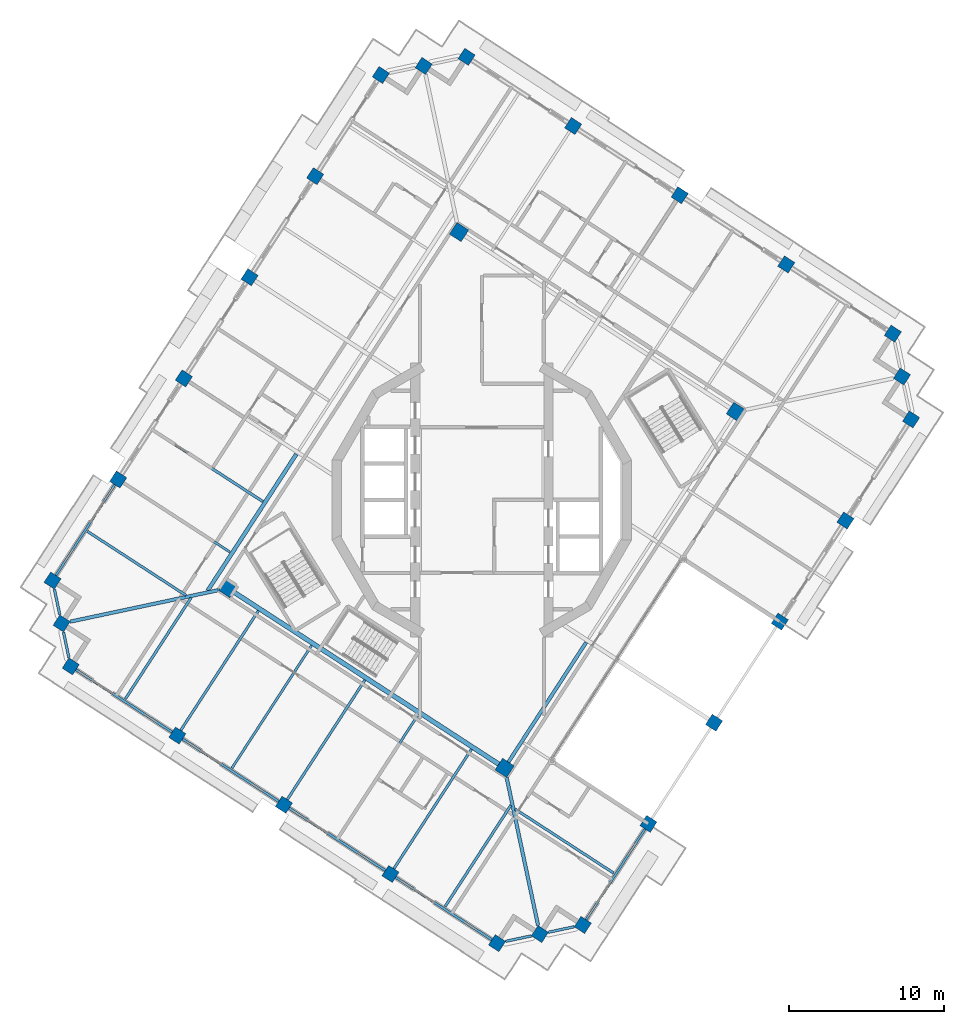
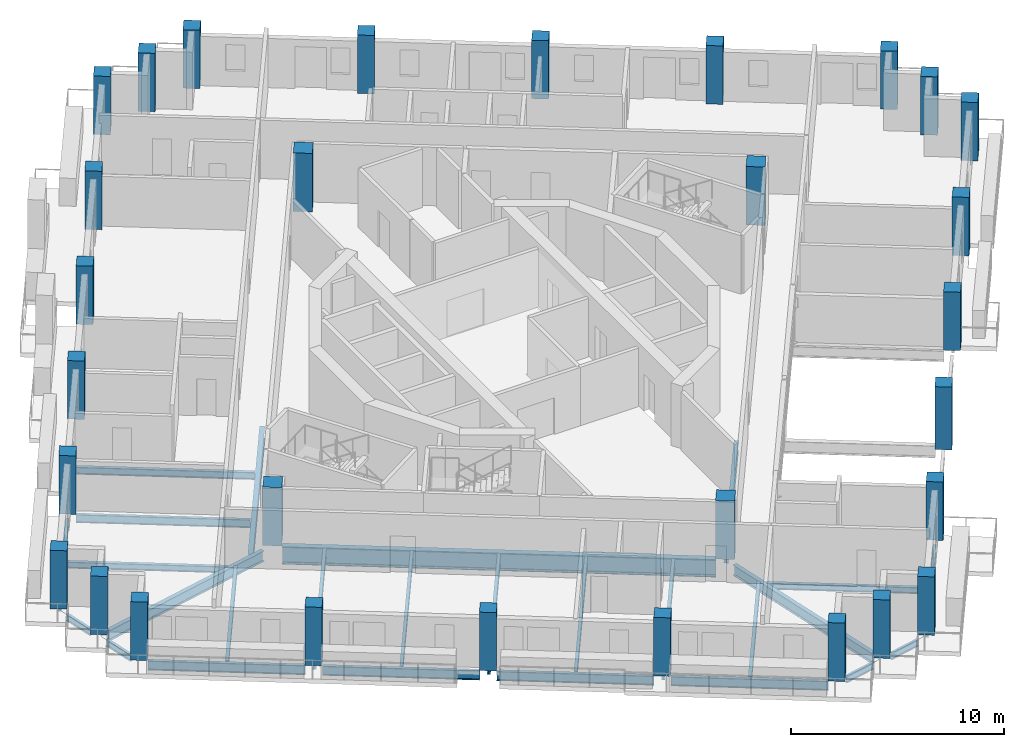
# One storey, part 1 of 17: 30 columns, 26 beams.
"""IFC4 building model written with IfcOpenShell, lengths in metres."""

from ifc_helpers import new_model, si_unit, direction, frame, origin, origin_2d, place, context, subcontext, project, spatial, rectangle, i_section, extrude, material, material_profile, profile_set, type_object, element, save


model = new_model("IFC4")

# Units and contexts
model_context = context("Model", 3, precision=1e-05, world=origin(), true_north=direction((0.0, 1.0)))
body_context = subcontext(model_context, "Body", "Model", "MODEL_VIEW")
ifc_project = project(units=[si_unit("LENGTHUNIT", "METRE"), si_unit("AREAUNIT", "SQUARE_METRE"), si_unit("VOLUMEUNIT", "CUBIC_METRE"), si_unit("PLANEANGLEUNIT", "RADIAN"), si_unit("MASSUNIT", "GRAM", prefix="KILO")], contexts=[model_context])

# Site, building, storey
site_placement = place(None, origin())
site = spatial("IfcSite", under=ifc_project, at=site_placement, CompositionType="ELEMENT")
building_placement = place(site_placement, origin())
building = spatial("IfcBuilding", under=site, at=building_placement, Name="Cantera Rosa Tower", CompositionType="ELEMENT")
storey_placement = place(building_placement, frame((0.0, 0.0, 254.10009765625)))
storey = spatial("IfcBuildingStorey", under=building, at=storey_placement, Name="L56", CompositionType="ELEMENT", Elevation=254.10009765625)

# Columns
ifc_material_1 = material(Name="Concrete C50/60", Category="concrete")
ifc_material_profile_1 = material_profile(ifc_material_1, rectangle(XDim=0.800048828125, YDim=0.800048828125, at=origin_2d()), Name="RC COLUMN RC800X800 C50/60")
ifc_profile_set_1 = profile_set([ifc_material_profile_1], Name="Concrete C50/60")
column_type_1 = type_object("IfcColumnType", Name="RC COLUMN RC800X800 C50/60", PredefinedType="COLUMN", material=ifc_profile_set_1)
for number, where, z_axis, x_axis, name in (
    (1, (26.52587890625, 10.73486328125, 0.0), (0.0, 0.0, 1.0), (0.544639035015, 0.838670567945, 0.0), "C-Z5-01 L56"),
    (2, (19.64892578125, 15.20068359375, 0.0), (0.0, 0.0, 1.0), (0.544639035015, 0.838670567945, 0.0), "C-Z5-02 L56"),
    (3, (12.771728515625, 19.666748046875, 0.0), (0.0, 0.0, 1.0), (0.544639035015, 0.838670567945, 0.0), "C-Z5-03 L56"),
    (4, (5.894775390625, 24.1328125, 0.0), (0.0, 0.0, 1.0), (0.544639035015, 0.838670567945, 0.0), "C-Z5-04 L56"),
    (5, (-0.982421875, 28.598876953125, 0.0), (0.0, 0.0, 1.0), (0.544639035015, 0.838670567945, 0.0), "C-Z5-05 L56"),
    (6, (-3.7490234375, 28.0107421875, 0.0), (0.0, 0.0, 1.0), (0.544639035015, 0.838670567945, 0.0), "C-Z5-06 L56"),
    (7, (-6.515625, 27.4228515625, 0.0), (0.0, 0.0, 1.0), (0.544639035015, 0.838670567945, 0.0), "C-Z5-07 L56"),
    (8, (-10.7529296875, 20.89794921875, 0.0), (0.0, 0.0, 1.0), (0.544639035015, 0.838670567945, 0.0), "C-Z5-08 L56"),
    (9, (-14.990234375, 14.373046875, 0.0), (0.0, 0.0, 1.0), (0.544639035015, 0.838670567945, 0.0), "C-Z5-09 L56"),
    (10, (-19.2275390625, 7.84814453125, 0.0), (0.0, 0.0, 1.0), (0.544639035015, 0.838670567945, 0.0), "C-Z5-10 L56"),
    (11, (-23.46484375, 1.3232421875, 0.0), (0.0, 0.0, 1.0), (0.544639035015, 0.838670567945, 0.0), "C-Z5-11 L56"),
    (12, (-27.7021484375, -5.201416015625, 0.0), (0.0, 0.0, 1.0), (0.544639035015, 0.838670567945, 0.0), "C-Z5-12 L56"),
    (13, (-27.114013671875, -7.968017578125, 0.0), (0.0, 0.0, 1.0), (0.544639035015, 0.838670567945, 0.0), "C-Z5-13 L56"),
    (14, (-26.52587890625, -10.73486328125, 0.0), (0.0, 0.0, 1.0), (0.544639035015, 0.838670567945, 0.0), "C-Z5-14 L56"),
    (15, (-19.64892578125, -15.20068359375, 0.0), (0.0, 0.0, 1.0), (0.544639035015, 0.838670567945, 0.0), "C-Z5-15 L56"),
    (16, (-12.771728515625, -19.666748046875, 0.0), (0.0, 0.0, 1.0), (0.544639035015, 0.838670567945, 0.0), "C-Z5-16 L56"),
    (17, (-5.894775390625, -24.1328125, 0.0), (0.0, 0.0, 1.0), (0.544639035015, 0.838670567945, 0.0), "C-Z5-17 L56"),
    (18, (0.982421875, -28.598876953125, 0.0), (0.0, 0.0, 1.0), (0.544639035015, 0.838670567945, 0.0), "C-Z5-18 L56"),
    (19, (3.7490234375, -28.0107421875, 0.0), (0.0, 0.0, 1.0), (0.544639035015, 0.838670567945, 0.0), "C-Z5-19 L56"),
    (20, (6.515625, -27.4228515625, 0.0), (0.0, 0.0, 1.0), (0.544639035015, 0.838670567945, 0.0), "C-Z5-20 L56"),
    (21, (10.7529296875, -20.89794921875, 0.0), (0.0, 0.0, 1.0), (0.544639035015, 0.838670567945, 0.0), "C-Z5-21 L56"),
):
    element("IfcColumn", number, at=place(storey_placement, frame(where, z_axis=z_axis, x_axis=x_axis)), inside=storey, type_object=column_type_1, Name=name, PredefinedType="COLUMN", context=body_context, shape_type="SweptSolid", body=[
        extrude(rectangle(XDim=0.800048828125, YDim=0.800048828125, at=origin_2d()), origin(), (0.0, 0.0, 1.0), 3.349853515625),
    ])
column_placement = place(storey_placement, frame((14.990234375, -14.373046875, -0.25), z_axis=(0.0, 0.0, 1.0), x_axis=(0.544639035015, 0.838670567945, 0.0)))
element("IfcColumn", 22, at=column_placement, inside=storey, type_object=column_type_1, Name="C-Z5-22 L56", PredefinedType="COLUMN", context=body_context, shape_type="SweptSolid", body=[
    extrude(rectangle(XDim=0.800048828125, YDim=0.800048828125, at=origin_2d()), origin(), (0.0, 0.0, 1.0), 3.599853515625),
])
for number, where, z_axis, x_axis, name in (
    (23, (19.2275390625, -7.84814453125, 0.0), (0.0, 0.0, 1.0), (0.544639035015, 0.838670567945, 0.0), "C-Z5-23 L56"),
    (24, (23.46484375, -1.3232421875, 0.0), (0.0, 0.0, 1.0), (0.544639035015, 0.838670567945, 0.0), "C-Z5-24 L56"),
    (25, (27.7021484375, 5.201416015625, 0.0), (0.0, 0.0, 1.0), (0.544639035015, 0.838670567945, 0.0), "C-Z5-25 L56"),
    (26, (27.114013671875, 7.968017578125, 0.0), (0.0, 0.0, 1.0), (0.544639035015, 0.838670567945, 0.0), "C-Z5-26 L56"),
):
    element("IfcColumn", number, at=place(storey_placement, frame(where, z_axis=z_axis, x_axis=x_axis)), inside=storey, type_object=column_type_1, Name=name, PredefinedType="COLUMN", context=body_context, shape_type="SweptSolid", body=[
        extrude(rectangle(XDim=0.800048828125, YDim=0.800048828125, at=origin_2d()), origin(), (0.0, 0.0, 1.0), 3.349853515625),
    ])
ifc_material_2 = material(Name="Concrete C50/60", Category="concrete")
ifc_material_profile_2 = material_profile(ifc_material_2, rectangle(XDim=0.89990234375, YDim=0.89990234375, at=origin_2d()), Name="RC RING COLUMN RC900X900 C50/60")
ifc_profile_set_2 = profile_set([ifc_material_profile_2], Name="Concrete C50/60")
column_type_2 = type_object("IfcColumnType", Name="RC RING COLUMN RC900X900 C50/60", PredefinedType="COLUMN", material=ifc_profile_set_2)
for number, where, z_axis, x_axis, name in (
    (27, (-1.47021484375, 17.290283203125, 0.0), (0.0, 0.0, 1.0), (0.544639035015, 0.838670567945, 0.0), "CI-Z5-1 L56"),
    (28, (-16.393310546875, -5.689453125, 0.0), (0.0, 0.0, 1.0), (0.544639035015, 0.838670567945, 0.0), "CI-Z5-2 L56"),
    (29, (1.47021484375, -17.290283203125, 0.0), (0.0, 0.0, 1.0), (0.544639035015, 0.838670567945, 0.0), "CI-Z5-3 L56"),
    (30, (16.393310546875, 5.689453125, 0.0), (0.0, 0.0, 1.0), (0.544639035015, 0.838670567945, 0.0), "CI-Z5-4 L56"),
):
    element("IfcColumn", number, at=place(storey_placement, frame(where, z_axis=z_axis, x_axis=x_axis)), inside=storey, type_object=column_type_2, Name=name, PredefinedType="COLUMN", context=body_context, shape_type="SweptSolid", body=[
        extrude(rectangle(XDim=0.89990234375, YDim=0.89990234375, at=origin_2d()), origin(), (0.0, 0.0, 1.0), 3.349853515625),
    ])

# Beams
ifc_material_3 = material(Name="Steel ASTM A992 (Fy 345 MPa)", Category="steel")
ifc_material_profile_3 = material_profile(ifc_material_3, i_section(OverallWidth=0.302001953125, OverallDepth=1.010009765625, WebThickness=0.02099609375, FlangeThickness=0.0400390625, FilletRadius=0.030029296875, at=origin_2d()), Name="W1000X350")
ifc_profile_set_3 = profile_set([ifc_material_profile_3], Name="Steel ASTM A992 (Fy 345 MPa)")
beam_type_1 = type_object("IfcBeamType", Name="STEEL BEAM W1000X350", PredefinedType="BEAM", material=ifc_profile_set_3)
beam_1_placement = place(storey_placement, frame((1.0927734375, -17.045166015625, -0.755126953125), z_axis=(-0.838671580977, 0.54463747508, 0.0), x_axis=(-0.54463747508, -0.838671580977, 0.0)))
element("IfcBeam", 31, at=beam_1_placement, inside=storey, type_object=beam_type_1, Name="RB-Z5-09 L56", PredefinedType="BEAM", context=body_context, shape_type="SweptSolid", body=[
    extrude(i_section(OverallWidth=0.302001953125, OverallDepth=1.010009765625, WebThickness=0.02099609375, FlangeThickness=0.0400390625, FilletRadius=0.030029296875, at=origin_2d()), origin(), (0.0, 0.0, 1.0), 20.39990234375),
])
ifc_material_4 = material(Name="Steel ASTM A992 (Fy 345 MPa)", Category="steel")
ifc_material_profile_4 = material_profile(ifc_material_4, i_section(OverallWidth=0.154052734375, OverallDepth=0.4599609375, WebThickness=0.009033203125, FlangeThickness=0.015380859375, FilletRadius=0.01025390625, at=origin_2d()), Name="W460X68")
ifc_profile_set_4 = profile_set([ifc_material_profile_4], Name="Steel ASTM A992 (Fy 345 MPa)")
beam_type_2 = type_object("IfcBeamType", Name="STEEL BEAM W460X68", PredefinedType="BEAM", material=ifc_profile_set_4)
beam_2_placement = place(storey_placement, frame((-23.12939453125, 1.10546875, -0.47998046875), z_axis=(0.838672777751, -0.544635632198, 0.0), x_axis=(0.544635632198, 0.838672777751, 0.0)))
element("IfcBeam", 32, at=beam_2_placement, inside=storey, type_object=beam_type_2, Name="G-Z5-07 L56", PredefinedType="BEAM", context=body_context, shape_type="SweptSolid", body=[
    extrude(i_section(OverallWidth=0.154052734375, OverallDepth=0.4599609375, WebThickness=0.009033203125, FlangeThickness=0.015380859375, FilletRadius=0.01025390625, at=origin_2d()), origin(), (0.0, 0.0, 1.0), 8.2001953125),
])
ifc_material_5 = material(Name="Steel ASTM A992 (Fy 345 MPa)", Category="steel")
ifc_material_profile_5 = material_profile(ifc_material_5, i_section(OverallWidth=0.166015625, OverallDepth=0.528076171875, WebThickness=0.009765625, FlangeThickness=0.013671875, FilletRadius=0.0126953125, at=origin_2d()), Name="W530X74")
ifc_profile_set_5 = profile_set([ifc_material_profile_5], Name="Steel ASTM A992 (Fy 345 MPa)")
beam_type_3 = type_object("IfcBeamType", Name="STEEL BEAM W530X74", PredefinedType="BEAM", material=ifc_profile_set_5)
beam_3_placement = place(storey_placement, frame((-19.430908203125, -14.865234375, -0.51416015625), z_axis=(0.544634776066, 0.838673333724, 0.0), x_axis=(-0.838673333724, 0.544634776066, 0.0)))
element("IfcBeam", 33, at=beam_3_placement, inside=storey, type_object=beam_type_3, Name="G-Z5-12 L56", PredefinedType="BEAM", context=body_context, shape_type="SweptSolid", body=[
    extrude(i_section(OverallWidth=0.166015625, OverallDepth=0.528076171875, WebThickness=0.009765625, FlangeThickness=0.013671875, FilletRadius=0.0126953125, at=origin_2d()), origin(), (0.0, 0.0, 1.0), 9.19970703125),
])
beam_4_placement = place(storey_placement, frame((-12.553955078125, -19.331298828125, -0.51416015625), z_axis=(0.544641320086, 0.838669083999, 0.0), x_axis=(-0.838669083999, 0.544641320086, 0.0)))
element("IfcBeam", 34, at=beam_4_placement, inside=storey, type_object=beam_type_3, Name="G-Z5-13 L56", PredefinedType="BEAM", context=body_context, shape_type="SweptSolid", body=[
    extrude(i_section(OverallWidth=0.166015625, OverallDepth=0.528076171875, WebThickness=0.009765625, FlangeThickness=0.013671875, FilletRadius=0.0126953125, at=origin_2d()), origin(), (0.0, 0.0, 1.0), 9.2001953125),
])
beam_5_placement = place(storey_placement, frame((-5.6767578125, -23.79736328125, -0.51416015625), z_axis=(0.544622654601, 0.838681205283, 0.0), x_axis=(-0.838681205283, 0.544622654601, 0.0)))
element("IfcBeam", 35, at=beam_5_placement, inside=storey, type_object=beam_type_3, Name="G-Z5-14 L56", PredefinedType="BEAM", context=body_context, shape_type="SweptSolid", body=[
    extrude(i_section(OverallWidth=0.166015625, OverallDepth=0.528076171875, WebThickness=0.009765625, FlangeThickness=0.013671875, FilletRadius=0.0126953125, at=origin_2d()), origin(), (0.0, 0.0, 1.0), 9.199951171875),
])
ifc_material_6 = material(Name="Steel ASTM A992 (Fy 345 MPa)", Category="steel")
ifc_material_profile_6 = material_profile(ifc_material_6, i_section(OverallWidth=0.22802734375, OverallDepth=0.60205078125, WebThickness=0.010498046875, FlangeThickness=0.014892578125, FilletRadius=0.0126953125, at=origin_2d()), Name="W610X101")
ifc_profile_set_6 = profile_set([ifc_material_profile_6], Name="Steel ASTM A992 (Fy 345 MPa)")
beam_type_4 = type_object("IfcBeamType", Name="STEEL BEAM W610X101", PredefinedType="BEAM", material=ifc_profile_set_6)
for number, where, z_axis, x_axis, name in (
    (36, (-26.560791015625, -7.8505859375, -0.551025390625), (0.978148167214, 0.20790902572, 0.0), (-0.20790902572, 0.978148167214, 0.0), "CB-Z5-02 L56"),
    (37, (3.63134765625, -27.45751953125, -0.551025390625), (-0.20790902572, 0.978148167214, 0.0), (-0.978148167214, -0.20790902572, 0.0), "CB-Z5-03 L56"),
):
    element("IfcBeam", number, at=place(storey_placement, frame(where, z_axis=z_axis, x_axis=x_axis)), inside=storey, type_object=beam_type_4, Name=name, PredefinedType="BEAM", context=body_context, shape_type="SweptSolid", body=[
        extrude(i_section(OverallWidth=0.22802734375, OverallDepth=0.60205078125, WebThickness=0.010498046875, FlangeThickness=0.014892578125, FilletRadius=0.0126953125, at=origin_2d()), origin(), (0.0, 0.0, 1.0), 9.758056640625),
    ])
beam_6_placement = place(storey_placement, frame((1.71533203125, -16.912841796875, -0.551025390625), z_axis=(0.54463982867, 0.838670052539, 0.0), x_axis=(-0.838670052539, 0.54463982867, 0.0)))
element("IfcBeam", 38, at=beam_6_placement, inside=storey, type_object=beam_type_4, Name="RB-Z5-04 L56", PredefinedType="BEAM", context=body_context, shape_type="SweptSolid", body=[
    extrude(i_section(OverallWidth=0.22802734375, OverallDepth=0.60205078125, WebThickness=0.010498046875, FlangeThickness=0.014892578125, FilletRadius=0.0126953125, at=origin_2d()), origin(), (0.0, 0.0, 1.0), 9.2099609375),
])
ifc_material_7 = material(Name="Steel ASTM A992 (Fy 345 MPa)", Category="steel")
ifc_material_profile_7 = material_profile(ifc_material_7, i_section(OverallWidth=0.25390625, OverallDepth=0.677978515625, WebThickness=0.01171875, FlangeThickness=0.016357421875, FilletRadius=0.01513671875, at=origin_2d()), Name="W690X125")
ifc_profile_set_7 = profile_set([ifc_material_profile_7], Name="Steel ASTM A992 (Fy 345 MPa)")
beam_type_5 = type_object("IfcBeamType", Name="STEEL BEAM W690X125", PredefinedType="BEAM", material=ifc_profile_set_7)
beam_7_placement = place(storey_placement, frame((-17.695068359375, -5.857666015625, -0.589111328125), z_axis=(0.544635575355, 0.838672814665, 0.0), x_axis=(-0.838672814665, 0.544635575355, 0.0)))
element("IfcBeam", 39, at=beam_7_placement, inside=storey, type_object=beam_type_5, Name="RB-Z5-01 L56", PredefinedType="BEAM", context=body_context, shape_type="SweptSolid", body=[
    extrude(i_section(OverallWidth=0.25390625, OverallDepth=0.677978515625, WebThickness=0.01171875, FlangeThickness=0.016357421875, FilletRadius=0.01513671875, at=origin_2d()), origin(), (0.0, 0.0, 1.0), 10.510009765625),
])
ifc_material_8 = material(Name="Steel ASTM A992 (Fy 345 MPa)", Category="steel")
ifc_material_profile_8 = material_profile(ifc_material_8, i_section(OverallWidth=0.1708984375, OverallDepth=0.35595703125, WebThickness=0.00732421875, FlangeThickness=0.01171875, FilletRadius=0.010009765625, at=origin_2d()), Name="W360X51")
ifc_profile_set_8 = profile_set([ifc_material_profile_8], Name="Steel ASTM A992 (Fy 345 MPa)")
beam_type_6 = type_object("IfcBeamType", Name="STEEL JOIST W360X51", PredefinedType="JOIST", material=ifc_profile_set_8)
beam_8_placement = place(storey_placement, frame((-25.457763671875, -2.020751953125, -0.427978515625), z_axis=(0.838680170462, -0.54462424815, 0.0), x_axis=(0.54462424815, 0.838680170462, 0.0)))
element("IfcBeam", 40, at=beam_8_placement, inside=storey, type_object=beam_type_6, Name="B-Z5-09 L56", PredefinedType="JOIST", context=body_context, shape_type="SweptSolid", body=[
    extrude(i_section(OverallWidth=0.1708984375, OverallDepth=0.35595703125, WebThickness=0.00732421875, FlangeThickness=0.01171875, FilletRadius=0.010009765625, at=origin_2d()), origin(), (0.0, 0.0, 1.0), 7.590087890625),
])
beam_9_placement = place(storey_placement, frame((8.508544921875, -24.07861328125, -0.427978515625), z_axis=(-0.838670629323, 0.544638940502, 0.0), x_axis=(-0.544638940502, -0.838670629323, 0.0)))
element("IfcBeam", 41, at=beam_9_placement, inside=storey, type_object=beam_type_6, Name="B-Z5-10 L56", PredefinedType="JOIST", context=body_context, shape_type="SweptSolid", body=[
    extrude(i_section(OverallWidth=0.1708984375, OverallDepth=0.35595703125, WebThickness=0.00732421875, FlangeThickness=0.01171875, FilletRadius=0.010009765625, at=origin_2d()), origin(), (0.0, 0.0, 1.0), 7.58984375),
])
for number, where, z_axis, x_axis, name in (
    (42, (-23.005859375, -12.842041015625, -0.427978515625), (0.544641754757, 0.838668801718, 0.0), (-0.838668801718, 0.544641754757, 0.0), "B-Z5-15 L56"),
    (43, (-2.37451171875, -26.239990234375, -0.427978515625), (0.54465605183, 0.838659516851, 0.0), (-0.838659516851, 0.54465605183, 0.0), "B-Z5-18 L56"),
):
    element("IfcBeam", number, at=place(storey_placement, frame(where, z_axis=z_axis, x_axis=x_axis)), inside=storey, type_object=beam_type_6, Name=name, PredefinedType="JOIST", context=body_context, shape_type="SweptSolid", body=[
        extrude(i_section(OverallWidth=0.1708984375, OverallDepth=0.35595703125, WebThickness=0.00732421875, FlangeThickness=0.01171875, FilletRadius=0.010009765625, at=origin_2d()), origin(), (0.0, 0.0, 1.0), 7.800048828125),
    ])
ifc_material_9 = material(Name="Steel ASTM A992 (Fy 345 MPa)", Category="steel")
ifc_material_profile_9 = material_profile(ifc_material_9, i_section(OverallWidth=0.177978515625, OverallDepth=0.406005859375, WebThickness=0.0078125, FlangeThickness=0.0126953125, FilletRadius=0.01025390625, at=origin_2d()), Name="W410X60")
ifc_profile_set_9 = profile_set([ifc_material_profile_9], Name="Steel ASTM A992 (Fy 345 MPa)")
beam_type_7 = type_object("IfcBeamType", Name="STEEL JOIST W410X60", PredefinedType="JOIST", material=ifc_profile_set_9)
beam_10_placement = place(storey_placement, frame((-21.220458984375, 4.504150390625, -0.453125), z_axis=(0.838670615657, -0.544638961546, 0.0), x_axis=(0.544638961546, 0.838670615657, 0.0)))
element("IfcBeam", 44, at=beam_10_placement, inside=storey, type_object=beam_type_7, Name="B-Z5-08 L56", PredefinedType="JOIST", context=body_context, shape_type="SweptSolid", body=[
    extrude(i_section(OverallWidth=0.177978515625, OverallDepth=0.406005859375, WebThickness=0.0078125, FlangeThickness=0.0126953125, FilletRadius=0.01025390625, at=origin_2d()), origin(), (0.0, 0.0, 1.0), 8.4501953125),
])
ifc_material_10 = material(Name="Steel ASTM A992 (Fy 345 MPa)", Category="steel")
ifc_material_profile_10 = material_profile(ifc_material_10, i_section(OverallWidth=0.154052734375, OverallDepth=0.4599609375, WebThickness=0.009033203125, FlangeThickness=0.015380859375, FilletRadius=0.01025390625, at=origin_2d()), Name="W460X68")
ifc_profile_set_10 = profile_set([ifc_material_profile_10], Name="Steel ASTM A992 (Fy 345 MPa)")
beam_type_8 = type_object("IfcBeamType", Name="STEEL JOIST W460X68", PredefinedType="JOIST", material=ifc_profile_set_10)
beam_11_placement = place(storey_placement, frame((-16.128662109375, -17.30810546875, -0.47998046875), z_axis=(0.544644146603, 0.838667248419, 0.0), x_axis=(-0.838667248419, 0.544644146603, 0.0)))
element("IfcBeam", 45, at=beam_11_placement, inside=storey, type_object=beam_type_8, Name="B-Z5-16 L56", PredefinedType="JOIST", context=body_context, shape_type="SweptSolid", body=[
    extrude(i_section(OverallWidth=0.154052734375, OverallDepth=0.4599609375, WebThickness=0.009033203125, FlangeThickness=0.015380859375, FilletRadius=0.01025390625, at=origin_2d()), origin(), (0.0, 0.0, 1.0), 9.4501953125),
])
beam_12_placement = place(storey_placement, frame((-9.25146484375, -21.77392578125, -0.47998046875), z_axis=(0.544637775879, 0.838671385636, 0.0), x_axis=(-0.838671385636, 0.544637775879, 0.0)))
element("IfcBeam", 46, at=beam_12_placement, inside=storey, type_object=beam_type_8, Name="B-Z5-17 L56", PredefinedType="JOIST", context=body_context, shape_type="SweptSolid", body=[
    extrude(i_section(OverallWidth=0.154052734375, OverallDepth=0.4599609375, WebThickness=0.009033203125, FlangeThickness=0.015380859375, FilletRadius=0.01025390625, at=origin_2d()), origin(), (0.0, 0.0, 1.0), 9.44970703125),
])
ifc_material_11 = material(Name="Steel ASTM A992 (Fy 345 MPa)", Category="steel")
ifc_material_profile_11 = material_profile(ifc_material_11, i_section(OverallWidth=0.1708984375, OverallDepth=0.35595703125, WebThickness=0.00732421875, FlangeThickness=0.01171875, FilletRadius=0.010009765625, at=origin_2d()), Name="W360X51")
ifc_profile_set_11 = profile_set([ifc_material_profile_11], Name="Steel ASTM A992 (Fy 345 MPa)")
beam_type_9 = type_object("IfcBeamType", Name="STEEL SPANDREL BEAM W360X51", PredefinedType="SPANDREL", material=ifc_profile_set_11)
for number, where, z_axis, x_axis, name in (
    (47, (-27.58447265625, -5.7548828125, -0.427978515625), (0.207888006632, -0.978152634663, 0.0), (0.978152634663, 0.207888006632, 0.0), "EB-Z5-12 L56"),
    (48, (-26.996337890625, -8.521484375, -0.427978515625), (0.207888006632, -0.978152634663, 0.0), (0.978152634663, 0.207888006632, 0.0), "EB-Z5-13 L56"),
):
    element("IfcBeam", number, at=place(storey_placement, frame(where, z_axis=z_axis, x_axis=x_axis)), inside=storey, type_object=beam_type_9, Name=name, PredefinedType="SPANDREL", context=body_context, shape_type="SweptSolid", body=[
        extrude(i_section(OverallWidth=0.1708984375, OverallDepth=0.35595703125, WebThickness=0.00732421875, FlangeThickness=0.01171875, FilletRadius=0.010009765625, at=origin_2d()), origin(), (0.0, 0.0, 1.0), 1.697021484375),
    ])
for number, where, z_axis, x_axis, name in (
    (49, (1.53564453125, -28.481201171875, -0.427978515625), (0.978158850918, 0.20785875582, 0.0), (-0.20785875582, 0.978158850918, 0.0), "EB-Z5-18 L56"),
    (50, (4.30224609375, -27.893310546875, -0.427978515625), (0.978129595322, 0.207996381593, 0.0), (-0.207996381593, 0.978129595322, 0.0), "EB-Z5-19 L56"),
):
    element("IfcBeam", number, at=place(storey_placement, frame(where, z_axis=z_axis, x_axis=x_axis)), inside=storey, type_object=beam_type_9, Name=name, PredefinedType="SPANDREL", context=body_context, shape_type="SweptSolid", body=[
        extrude(i_section(OverallWidth=0.1708984375, OverallDepth=0.35595703125, WebThickness=0.00732421875, FlangeThickness=0.01171875, FilletRadius=0.010009765625, at=origin_2d()), origin(), (0.0, 0.0, 1.0), 1.697265625),
    ])
ifc_material_12 = material(Name="Steel ASTM A992 (Fy 345 MPa)", Category="steel")
ifc_material_profile_12 = material_profile(ifc_material_12, i_section(OverallWidth=0.154052734375, OverallDepth=0.4599609375, WebThickness=0.009033203125, FlangeThickness=0.015380859375, FilletRadius=0.01025390625, at=origin_2d()), Name="W460X68")
ifc_profile_set_12 = profile_set([ifc_material_profile_12], Name="Steel ASTM A992 (Fy 345 MPa)")
beam_type_10 = type_object("IfcBeamType", Name="STEEL SPANDREL BEAM W460X68", PredefinedType="SPANDREL", material=ifc_profile_set_12)
beam_13_placement = place(storey_placement, frame((-23.6826171875, 0.98779296875, -0.47998046875), z_axis=(-0.544667428764, -0.838652128146, 0.0), x_axis=(0.838652128146, -0.544667428764, 0.0)))
element("IfcBeam", 51, at=beam_13_placement, inside=storey, type_object=beam_type_10, Name="EB-Z5-11 L56", PredefinedType="SPANDREL", context=body_context, shape_type="SweptSolid", body=[
    extrude(i_section(OverallWidth=0.154052734375, OverallDepth=0.4599609375, WebThickness=0.009033203125, FlangeThickness=0.015380859375, FilletRadius=0.01025390625, at=origin_2d()), origin(), (0.0, 0.0, 1.0), 6.97998046875),
])
beam_14_placement = place(storey_placement, frame((6.7333984375, -27.08740234375, -0.47998046875), z_axis=(0.544651451949, 0.838662504164, 0.0), x_axis=(-0.838662504164, 0.544651451949, 0.0)))
element("IfcBeam", 52, at=beam_14_placement, inside=storey, type_object=beam_type_10, Name="EB-Z5-20 L56", PredefinedType="SPANDREL", context=body_context, shape_type="SweptSolid", body=[
    extrude(i_section(OverallWidth=0.154052734375, OverallDepth=0.4599609375, WebThickness=0.009033203125, FlangeThickness=0.015380859375, FilletRadius=0.01025390625, at=origin_2d()), origin(), (0.0, 0.0, 1.0), 6.980224609375),
])
ifc_material_13 = material(Name="Steel ASTM A992 (Fy 345 MPa)", Category="steel")
ifc_material_profile_13 = material_profile(ifc_material_13, i_section(OverallWidth=0.166015625, OverallDepth=0.528076171875, WebThickness=0.009765625, FlangeThickness=0.013671875, FilletRadius=0.0126953125, at=origin_2d()), Name="W530X74")
ifc_profile_set_13 = profile_set([ifc_material_profile_13], Name="Steel ASTM A992 (Fy 345 MPa)")
beam_type_11 = type_object("IfcBeamType", Name="STEEL SPANDREL BEAM W530X74", PredefinedType="SPANDREL", material=ifc_profile_set_13)
beam_15_placement = place(storey_placement, frame((-26.1904296875, -10.95263671875, -0.51416015625), z_axis=(0.838669679097, -0.544640403719, 0.0), x_axis=(0.544640403719, 0.838669679097, 0.0)))
element("IfcBeam", 53, at=beam_15_placement, inside=storey, type_object=beam_type_11, Name="EB-Z5-14 L56", PredefinedType="SPANDREL", context=body_context, shape_type="SweptSolid", body=[
    extrude(i_section(OverallWidth=0.166015625, OverallDepth=0.528076171875, WebThickness=0.009765625, FlangeThickness=0.013671875, FilletRadius=0.0126953125, at=origin_2d()), origin(), (0.0, 0.0, 1.0), 7.39990234375),
])
beam_16_placement = place(storey_placement, frame((-19.3134765625, -15.418701171875, -0.51416015625), z_axis=(0.838679465365, -0.544625333946, 0.0), x_axis=(0.544625333946, 0.838679465365, 0.0)))
element("IfcBeam", 54, at=beam_16_placement, inside=storey, type_object=beam_type_11, Name="EB-Z5-15 L56", PredefinedType="SPANDREL", context=body_context, shape_type="SweptSolid", body=[
    extrude(i_section(OverallWidth=0.166015625, OverallDepth=0.528076171875, WebThickness=0.009765625, FlangeThickness=0.013671875, FilletRadius=0.0126953125, at=origin_2d()), origin(), (0.0, 0.0, 1.0), 7.400146484375),
])
beam_17_placement = place(storey_placement, frame((-12.436279296875, -19.884765625, -0.51416015625), z_axis=(0.838669679097, -0.544640403719, 0.0), x_axis=(0.544640403719, 0.838669679097, 0.0)))
element("IfcBeam", 55, at=beam_17_placement, inside=storey, type_object=beam_type_11, Name="EB-Z5-16 L56", PredefinedType="SPANDREL", context=body_context, shape_type="SweptSolid", body=[
    extrude(i_section(OverallWidth=0.166015625, OverallDepth=0.528076171875, WebThickness=0.009765625, FlangeThickness=0.013671875, FilletRadius=0.0126953125, at=origin_2d()), origin(), (0.0, 0.0, 1.0), 7.39990234375),
])
beam_18_placement = place(storey_placement, frame((-5.559326171875, -24.350830078125, -0.51416015625), z_axis=(0.838679465365, -0.544625333946, 0.0), x_axis=(0.544625333946, 0.838679465365, 0.0)))
element("IfcBeam", 56, at=beam_18_placement, inside=storey, type_object=beam_type_11, Name="EB-Z5-17 L56", PredefinedType="SPANDREL", context=body_context, shape_type="SweptSolid", body=[
    extrude(i_section(OverallWidth=0.166015625, OverallDepth=0.528076171875, WebThickness=0.009765625, FlangeThickness=0.013671875, FilletRadius=0.0126953125, at=origin_2d()), origin(), (0.0, 0.0, 1.0), 7.400146484375),
])

save(model, "model.ifc")
